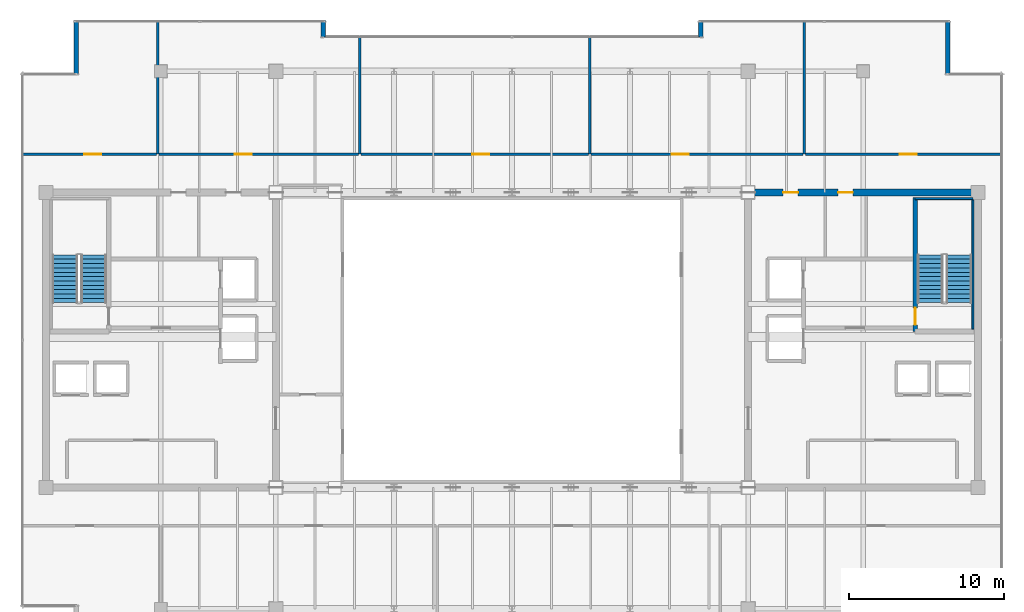
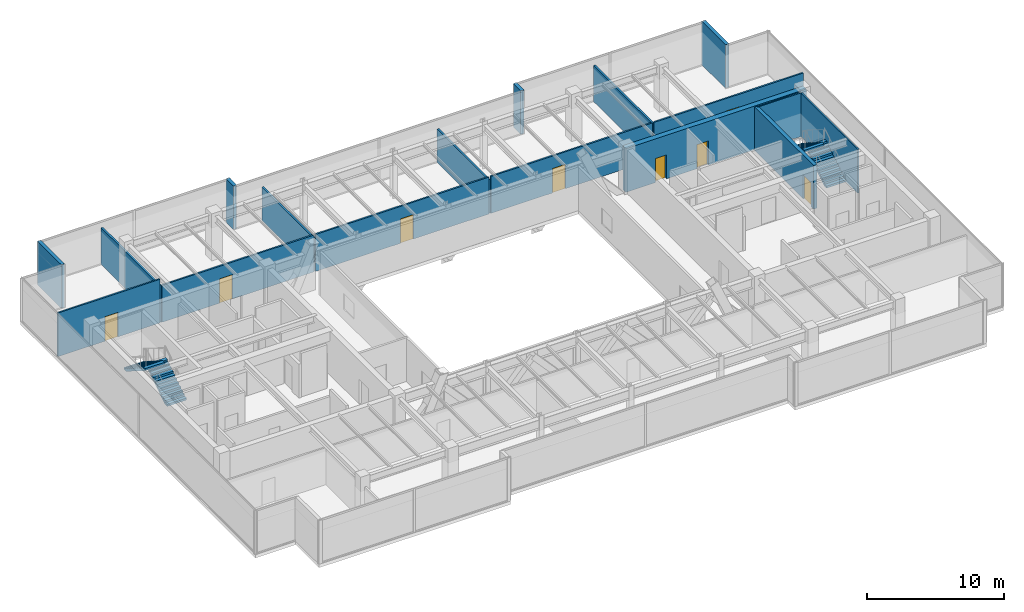
# One storey, part 28 of 32: 17 walls, 8 doors, 4 stair flights, 8 openings, 2 elements without a shape of their own.
"""IFC4 building model written with IfcOpenShell, lengths in metres."""

from ifc_helpers import new_model, si_unit, direction, frame, frame_2d, origin, place, context, subcontext, project, spatial, polyline, rectangle, outline, extrude, source, transform, mapped, material, layer, layer_set, type_object, type_shapes, element, fill, aggregate, save


model = new_model("IFC4")

# Units and contexts
model_context = context("Model", 3, precision=1e-05, world=origin(), true_north=direction((0.0, 1.0)))
body_context = subcontext(model_context, "Body", "Model", "MODEL_VIEW")
ifc_project = project(units=[si_unit("LENGTHUNIT", "METRE"), si_unit("AREAUNIT", "SQUARE_METRE"), si_unit("VOLUMEUNIT", "CUBIC_METRE"), si_unit("PLANEANGLEUNIT", "RADIAN"), si_unit("MASSUNIT", "GRAM", prefix="KILO")], contexts=[model_context])

# Site, building, storey
site_placement = place(None, origin())
site = spatial("IfcSite", under=ifc_project, at=site_placement, CompositionType="ELEMENT")
building_placement = place(site_placement, origin())
building = spatial("IfcBuilding", under=site, at=building_placement, Name="Haelvirn Gate Laboratories", CompositionType="ELEMENT")
storey_placement = place(building_placement, frame((0.0, 0.0, 301.800048828125)))
storey = spatial("IfcBuildingStorey", under=building, at=storey_placement, Name="L72", CompositionType="ELEMENT", Elevation=301.800048828125)

# Walls
ifc_material_1 = material(Name="Thermally-broken bronze aluminium rainscreen & mineral wool", Category="aluminium")
ifc_layer_1 = layer(ifc_material_1, 0.280029296875, Name="EW-TERR-280")
ifc_layer_set_1 = layer_set([ifc_layer_1], Name="Thermally-broken bronze aluminium rainscreen & mineral wool")
wall_type_1 = type_object("IfcWallType", Name="EW-TERR-280", PredefinedType="STANDARD", material=ifc_layer_set_1)
wall_1_placement = place(storey_placement, frame((65.4599609375, 41.412109375, 0.0), z_axis=(0.0, 0.0, 1.0), x_axis=(0.0, 1.0, 0.0)))
element("IfcWall", 1, at=wall_1_placement, inside=storey, type_object=wall_type_1, Name="L72 Atrium Recess Bronze Return Wall 09", PredefinedType="STANDARD", context=body_context, shape_type="SweptSolid", body=[
    extrude(rectangle(XDim=3.48779296875, YDim=0.280029296875, at=frame_2d((1.743896484375, 0.0))), origin(), (0.0, 0.0, 1.0), 3.89990234375),
])
for number, where, z_axis, x_axis, name in (
    (2, (49.5400390625, 44.89990234375, 0.0), (0.0, 0.0, 1.0), (0.0, -1.0, 0.0), "L72 Atrium Recess Bronze Return Wall 11"),
    (3, (25.260009765625, 43.806884765625, 0.0), (0.0, 0.0, 1.0), (0.0, 1.0, 0.0), "L72 Atrium Recess Bronze Return Wall 13"),
):
    element("IfcWall", number, at=place(storey_placement, frame(where, z_axis=z_axis, x_axis=x_axis)), inside=storey, type_object=wall_type_1, Name=name, PredefinedType="STANDARD", context=body_context, shape_type="SweptSolid", body=[
        extrude(rectangle(XDim=1.093017578125, YDim=0.280029296875, at=frame_2d((0.54638671875, 0.0))), origin(), (0.0, 0.0, 1.0), 3.89990234375),
    ])
wall_2_placement = place(storey_placement, frame((9.340087890625, 44.89990234375, 0.0), z_axis=(0.0, 0.0, 1.0), x_axis=(0.0, -1.0, 0.0)))
element("IfcWall", 4, at=wall_2_placement, inside=storey, type_object=wall_type_1, Name="L72 Atrium Recess Bronze Return Wall 15", PredefinedType="STANDARD", context=body_context, shape_type="SweptSolid", body=[
    extrude(rectangle(XDim=3.48779296875, YDim=0.280029296875, at=frame_2d((1.743896484375, 0.0))), origin(), (0.0, 0.0, 1.0), 3.89990234375),
])
ifc_material_2 = material(Name="Double-layer acoustic gypsum laboratory partition", Category="gypsum")
ifc_layer_2 = layer(ifc_material_2, 0.159912109375, Name="IW-ACOUST-160")
ifc_layer_set_2 = layer_set([ifc_layer_2], Name="Double-layer acoustic gypsum laboratory partition")
wall_type_2 = type_object("IfcWallType", Name="IW-ACOUST-160", PredefinedType="PARTITIONING", material=ifc_layer_set_2)
wall_3_placement = place(storey_placement, frame((14.60009765625, 36.260009765625, 0.0), z_axis=(0.0, 0.0, 1.0), x_axis=(0.0, 1.0, 0.0)))
element("IfcWall", 5, at=wall_3_placement, inside=storey, type_object=wall_type_2, Name="L72 Interior Wall IW-L72-NDIV-01", PredefinedType="PARTITIONING", context=body_context, shape_type="SweptSolid", body=[
    extrude(rectangle(XDim=8.530029296875, YDim=0.159912109375, at=frame_2d((4.26513671875, 0.0))), origin(), (0.0, 0.0, 1.0), 3.296875),
])
for number, where, z_axis, x_axis, name in (
    (6, (27.60009765625, 36.260009765625, 0.0), (0.0, 0.0, 1.0), (0.0, 1.0, 0.0), "L72 Interior Wall IW-L72-NDIV-02"),
    (7, (42.39990234375, 36.260009765625, 0.0), (0.0, 0.0, 1.0), (0.0, 1.0, 0.0), "L72 Interior Wall IW-L72-NDIV-03"),
):
    element("IfcWall", number, at=place(storey_placement, frame(where, z_axis=z_axis, x_axis=x_axis)), inside=storey, type_object=wall_type_2, Name=name, PredefinedType="PARTITIONING", context=body_context, shape_type="SweptSolid", body=[
        extrude(rectangle(XDim=7.530029296875, YDim=0.159912109375, at=frame_2d((3.76513671875, 0.0))), origin(), (0.0, 0.0, 1.0), 2.98486328125),
    ])
wall_4_placement = place(storey_placement, frame((56.199951171875, 36.260009765625, 0.0), z_axis=(0.0, 0.0, 1.0), x_axis=(0.0, 1.0, 0.0)))
element("IfcWall", 8, at=wall_4_placement, inside=storey, type_object=wall_type_2, Name="L72 Interior Wall IW-L72-NDIV-04", PredefinedType="PARTITIONING", context=body_context, shape_type="SweptSolid", body=[
    extrude(rectangle(XDim=8.530029296875, YDim=0.159912109375, at=frame_2d((4.26513671875, 0.0))), origin(), (0.0, 0.0, 1.0), 3.23486328125),
])

# Wall, opening, door
ifc_material_3 = material(Name="Acoustic mineral-wool gypsum board partition", Category="gypsum")
ifc_layer_3 = layer(ifc_material_3, 0.139892578125, Name="IW-PART-140")
ifc_layer_set_3 = layer_set([ifc_layer_3], Name="Acoustic mineral-wool gypsum board partition")
wall_type_3 = type_object("IfcWallType", Name="IW-PART-140", PredefinedType="PARTITIONING", material=ifc_layer_set_3)
wall_5_placement = place(storey_placement, frame((5.909912109375, 36.260009765625, 0.0), z_axis=(0.0, 0.0, 1.0), x_axis=(1.0, 0.0, 0.0)))
wall_5 = element("IfcWall", 9, at=wall_5_placement, inside=storey, type_object=wall_type_3, Name="L72 Interior Wall IW-L72-NCORR-01", PredefinedType="PARTITIONING", context=body_context, shape_type="SweptSolid", body=[
    extrude(rectangle(XDim=8.610107421875, YDim=0.139892578125, at=frame_2d((4.30517578125, 0.0))), origin(), (0.0, 0.0, 1.0), 3.89990234375),
])
opening_1_placement = place(wall_5_placement, frame((3.959228515625, 0.0, 0.0)))
opening_1 = element("IfcOpeningElement", 10, at=opening_1_placement, cuts=wall_5, Name="Opening D1", PredefinedType="OPENING", context=body_context, shape_type="SweptSolid", body=[
    extrude(rectangle(XDim=1.10009765625, YDim=2.179931640625, at=frame_2d((0.550048828125, 1.08984375))), frame((0.0, 0.080078125, 0.0), z_axis=(0.0, -1.0, 0.0), x_axis=(1.0, 0.0, 0.0)), (0.0, 0.0, 1.0), 0.159912109375),
])
ifc_material_4 = material(Name="Vision-panel acoustic solid-core timber lab door", Category="wood")
door_type_1 = type_object("IfcDoorType", Name="DR-LAB-1100", OperationType="NOTDEFINED", PredefinedType="DOOR", material=ifc_material_4)
shared_shape_1 = source(origin(), body_context, "Body", "SweptSolid", [
    extrude(rectangle(XDim=1.10009765625, YDim=2.179931640625, at=frame_2d((0.550048828125, 1.08984375))), frame((0.0, 0.02490234375, 0.0), z_axis=(0.0, -1.0, 0.0), x_axis=(1.0, 0.0, 0.0)), (0.0, 0.0, 1.0), 0.050048828125),
])
type_shapes(door_type_1, [shared_shape_1])
door_1_placement = place(opening_1_placement, origin())
door_1 = element("IfcDoor", 11, at=door_1_placement, inside=storey, type_object=door_type_1, Name="L72 Colloquium Conference Room Door N1", OperationType="SINGLE_SWING_RIGHT", OverallHeight=2.179931640625, OverallWidth=1.10009765625, PredefinedType="DOOR", context=body_context, shape_type="MappedRepresentation", body=[
    mapped(shared_shape_1, transform((0.0, 0.0, 0.0), scale=1.0)),
])
fill(opening_1, door_1)

wall_6_placement = place(storey_placement, frame((14.679931640625, 36.260009765625, 0.0), z_axis=(0.0, 0.0, 1.0), x_axis=(1.0, 0.0, 0.0)))
wall_6 = element("IfcWall", 12, at=wall_6_placement, inside=storey, type_object=wall_type_3, Name="L72 Interior Wall IW-L72-NCORR-02", PredefinedType="PARTITIONING", context=body_context, shape_type="SweptSolid", body=[
    extrude(rectangle(XDim=12.840087890625, YDim=0.139892578125, at=frame_2d((6.419921875, 0.0))), origin(), (0.0, 0.0, 1.0), 3.296875),
])
opening_2_placement = place(wall_6_placement, frame((4.87646484375, 0.0, 0.0)))
opening_2 = element("IfcOpeningElement", 13, at=opening_2_placement, cuts=wall_6, Name="Opening D1", PredefinedType="OPENING", context=body_context, shape_type="SweptSolid", body=[
    extrude(rectangle(XDim=1.10009765625, YDim=2.179931640625, at=frame_2d((0.550048828125, 1.08984375))), frame((0.0, 0.080078125, 0.0), z_axis=(0.0, -1.0, 0.0), x_axis=(1.0, 0.0, 0.0)), (0.0, 0.0, 1.0), 0.159912109375),
])
door_2_placement = place(opening_2_placement, origin())
door_2 = element("IfcDoor", 14, at=door_2_placement, inside=storey, type_object=door_type_1, Name="L72 Protocol Briefing Training Room Door N2", OperationType="SINGLE_SWING_LEFT", OverallHeight=2.179931640625, OverallWidth=1.10009765625, PredefinedType="DOOR", context=body_context, shape_type="MappedRepresentation", body=[
    mapped(shared_shape_1, transform((0.0, 0.0, 0.0), scale=1.0)),
])
fill(opening_2, door_2)

wall_7_placement = place(storey_placement, frame((27.679931640625, 36.260009765625, 0.0), z_axis=(0.0, 0.0, 1.0), x_axis=(1.0, 0.0, 0.0)))
wall_7 = element("IfcWall", 15, at=wall_7_placement, inside=storey, type_object=wall_type_3, Name="L72 Interior Wall IW-L72-NCORR-03", PredefinedType="PARTITIONING", context=body_context, shape_type="SweptSolid", body=[
    extrude(rectangle(XDim=14.64013671875, YDim=0.139892578125, at=frame_2d((7.320068359375, 0.0))), origin(), (0.0, 0.0, 1.0), 3.296875),
])
opening_3_placement = place(wall_7_placement, frame((7.1552734375, 0.0, 0.0)))
opening_3 = element("IfcOpeningElement", 16, at=opening_3_placement, cuts=wall_7, Name="Opening D1", PredefinedType="OPENING", context=body_context, shape_type="SweptSolid", body=[
    extrude(rectangle(XDim=1.10009765625, YDim=2.179931640625, at=frame_2d((0.550048828125, 1.08984375))), frame((0.0, 0.080078125, 0.0), z_axis=(0.0, -1.0, 0.0), x_axis=(1.0, 0.0, 0.0)), (0.0, 0.0, 1.0), 0.159912109375),
])
door_3_placement = place(opening_3_placement, origin())
door_3 = element("IfcDoor", 17, at=door_3_placement, inside=storey, type_object=door_type_1, Name="L72 Scientific Reference Library Door N3", OperationType="SINGLE_SWING_RIGHT", OverallHeight=2.179931640625, OverallWidth=1.10009765625, PredefinedType="DOOR", context=body_context, shape_type="MappedRepresentation", body=[
    mapped(shared_shape_1, transform((0.0, 0.0, 0.0), scale=1.0)),
])
fill(opening_3, door_3)

wall_8_placement = place(storey_placement, frame((42.47998046875, 36.260009765625, 0.0), z_axis=(0.0, 0.0, 1.0), x_axis=(1.0, 0.0, 0.0)))
wall_8 = element("IfcWall", 18, at=wall_8_placement, inside=storey, type_object=wall_type_3, Name="L72 Interior Wall IW-L72-NCORR-04", PredefinedType="PARTITIONING", context=body_context, shape_type="SweptSolid", body=[
    extrude(rectangle(XDim=13.64013671875, YDim=0.139892578125, at=frame_2d((6.820068359375, 0.0))), origin(), (0.0, 0.0, 1.0), 3.296875),
])
opening_4_placement = place(wall_8_placement, frame((5.204345703125, 0.0, 0.0)))
opening_4 = element("IfcOpeningElement", 19, at=opening_4_placement, cuts=wall_8, Name="Opening D1", PredefinedType="OPENING", context=body_context, shape_type="SweptSolid", body=[
    extrude(rectangle(XDim=1.10009765625, YDim=2.179931640625, at=frame_2d((0.550048828125, 1.08984375))), frame((0.0, 0.080078125, 0.0), z_axis=(0.0, -1.0, 0.0), x_axis=(1.0, 0.0, 0.0)), (0.0, 0.0, 1.0), 0.159912109375),
])
door_4_placement = place(opening_4_placement, origin())
door_4 = element("IfcDoor", 20, at=door_4_placement, inside=storey, type_object=door_type_1, Name="L72 Instrumentation Prototyping Workshop Door N4", OperationType="SINGLE_SWING_LEFT", OverallHeight=2.179931640625, OverallWidth=1.10009765625, PredefinedType="DOOR", context=body_context, shape_type="MappedRepresentation", body=[
    mapped(shared_shape_1, transform((0.0, 0.0, 0.0), scale=1.0)),
])
fill(opening_4, door_4)

wall_9_placement = place(storey_placement, frame((56.280029296875, 36.260009765625, 0.0), z_axis=(0.0, 0.0, 1.0), x_axis=(1.0, 0.0, 0.0)))
wall_9 = element("IfcWall", 21, at=wall_9_placement, inside=storey, type_object=wall_type_3, Name="L72 Interior Wall IW-L72-NCORR-05", PredefinedType="PARTITIONING", context=body_context, shape_type="SweptSolid", body=[
    extrude(rectangle(XDim=12.60986328125, YDim=0.139892578125, at=frame_2d((6.304931640625, 0.0))), origin(), (0.0, 0.0, 1.0), 3.296875),
])
opening_5_placement = place(wall_9_placement, frame((6.079345703125, 0.0, 0.0)))
opening_5 = element("IfcOpeningElement", 22, at=opening_5_placement, cuts=wall_9, Name="Opening D1", PredefinedType="OPENING", context=body_context, shape_type="SweptSolid", body=[
    extrude(rectangle(XDim=1.10009765625, YDim=2.179931640625, at=frame_2d((0.550048828125, 1.08984375))), frame((0.0, 0.080078125, 0.0), z_axis=(0.0, -1.0, 0.0), x_axis=(1.0, 0.0, 0.0)), (0.0, 0.0, 1.0), 0.159912109375),
])
door_5_placement = place(opening_5_placement, origin())
door_5 = element("IfcDoor", 23, at=door_5_placement, inside=storey, type_object=door_type_1, Name="L72 Researcher Break Pantry Door N5", OperationType="SINGLE_SWING_RIGHT", OverallHeight=2.179931640625, OverallWidth=1.10009765625, PredefinedType="DOOR", context=body_context, shape_type="MappedRepresentation", body=[
    mapped(shared_shape_1, transform((0.0, 0.0, 0.0), scale=1.0)),
])
fill(opening_5, door_5)

# Wall, openings, doors
ifc_material_5 = material(Name="Concrete C50/60", Category="concrete")
ifc_layer_4 = layer(ifc_material_5, 0.449951171875, Name="SW-CORE-450")
ifc_layer_set_4 = layer_set([ifc_layer_4], Name="Concrete C50/60")
wall_type_4 = type_object("IfcWallType", Name="SW-CORE-450", PredefinedType="SHEAR", material=ifc_layer_set_4)
wall_10_placement = place(storey_placement, frame((52.375, 33.800048828125, 0.0), z_axis=(0.0, 0.0, 1.0), x_axis=(1.0, 0.0, 0.0)))
wall_10 = element("IfcWall", 24, at=wall_10_placement, inside=storey, type_object=wall_type_4, Name="L72 E Core Shear Wall N", PredefinedType="SHEAR", context=body_context, shape_type="SweptSolid", body=[
    extrude(rectangle(XDim=15.25, YDim=0.449951171875, at=frame_2d((7.625, 0.0))), origin(), (0.0, 0.0, 1.0), 3.89990234375),
])
opening_6_placement = place(wall_10_placement, frame((6.02490234375, 0.0, 0.0)))
opening_6 = element("IfcOpeningElement", 25, at=opening_6_placement, cuts=wall_10, Name="Opening FD4", PredefinedType="OPENING", context=body_context, shape_type="SweptSolid", body=[
    extrude(rectangle(XDim=0.949951171875, YDim=2.14990234375, at=frame_2d((0.47509765625, 1.074951171875))), frame((0.0, 0.23486328125, 0.0), z_axis=(0.0, -1.0, 0.0), x_axis=(1.0, 0.0, 0.0)), (0.0, 0.0, 1.0), 0.469970703125),
])
opening_7_placement = place(wall_10_placement, frame((2.485107421875, 0.0, 0.0)))
opening_7 = element("IfcOpeningElement", 26, at=opening_7_placement, cuts=wall_10, Name="Opening FD4", PredefinedType="OPENING", context=body_context, shape_type="SweptSolid", body=[
    extrude(rectangle(XDim=0.949951171875, YDim=2.14990234375, at=frame_2d((0.47509765625, 1.074951171875))), frame((0.0, 0.23486328125, 0.0), z_axis=(0.0, -1.0, 0.0), x_axis=(1.0, 0.0, 0.0)), (0.0, 0.0, 1.0), 0.469970703125),
])
ifc_material_6 = material(Name="Fire-rated steel SM355 core service door", Category="steel")
door_type_2 = type_object("IfcDoorType", Name="DR-FD-950", OperationType="NOTDEFINED", PredefinedType="DOOR", material=ifc_material_6)
shared_shape_2 = source(origin(), body_context, "Body", "SweptSolid", [
    extrude(rectangle(XDim=0.949951171875, YDim=2.14990234375, at=frame_2d((0.47509765625, 1.074951171875))), frame((0.0, 0.02490234375, 0.0), z_axis=(0.0, -1.0, 0.0), x_axis=(1.0, 0.0, 0.0)), (0.0, 0.0, 1.0), 0.050048828125),
])
type_shapes(door_type_2, [shared_shape_2])
door_6_placement = place(opening_6_placement, origin())
door_6 = element("IfcDoor", 27, at=door_6_placement, inside=storey, type_object=door_type_2, Name="L72 Accessible Restroom Fire Door", OperationType="SINGLE_SWING_LEFT", OverallHeight=2.14990234375, OverallWidth=0.949951171875, PredefinedType="DOOR", context=body_context, shape_type="MappedRepresentation", body=[
    mapped(shared_shape_2, transform((0.0, 0.0, 0.0), scale=1.0)),
])
fill(opening_6, door_6)
door_7_placement = place(opening_7_placement, origin())
door_7 = element("IfcDoor", 28, at=door_7_placement, inside=storey, type_object=door_type_2, Name="L72 Staff Restroom Fire Door", OperationType="SINGLE_SWING_RIGHT", OverallHeight=2.14990234375, OverallWidth=0.949951171875, PredefinedType="DOOR", context=body_context, shape_type="MappedRepresentation", body=[
    mapped(shared_shape_2, transform((0.0, 0.0, 0.0), scale=1.0)),
])
fill(opening_7, door_7)

# Walls
ifc_layer_5 = layer(ifc_material_5, 0.1201171875, Name="SW-LINER-120")
ifc_layer_set_5 = layer_set([ifc_layer_5], Name="Concrete C50/60")
wall_type_5 = type_object("IfcWallType", Name="SW-LINER-120", PredefinedType="SOLIDWALL", material=ifc_layer_set_5)
wall_11_placement = place(storey_placement, frame((63.35009765625, 33.39990234375, 0.0), z_axis=(0.0, 0.0, 1.0), x_axis=(1.0, 0.0, 0.0)))
element("IfcWall", 29, at=wall_11_placement, inside=storey, type_object=wall_type_5, Name="L72 E Core Stair Shaft Liner Wall N", PredefinedType="SOLIDWALL", context=body_context, shape_type="SweptSolid", body=[
    extrude(rectangle(XDim=3.719970703125, YDim=0.1201171875, at=frame_2d((1.85986328125, 0.0))), origin(), (0.0, 0.0, 1.0), 3.89990234375),
])
wall_12_placement = place(storey_placement, frame((67.070068359375, 25.0, 0.0), z_axis=(0.0, 0.0, 1.0), x_axis=(0.0, 1.0, 0.0)))
element("IfcWall", 30, at=wall_12_placement, inside=storey, type_object=wall_type_5, Name="L72 E Core Stair Shaft Liner Wall OUT", PredefinedType="SOLIDWALL", context=body_context, shape_type="SweptSolid", body=[
    extrude(rectangle(XDim=8.320068359375, YDim=0.1201171875, at=frame_2d((4.16015625, 0.0))), origin(), (0.0, 0.0, 1.0), 3.89990234375),
])

# Wall, opening, door
ifc_layer_6 = layer(ifc_material_5, 0.300048828125, Name="SW-STAIR-300")
ifc_layer_set_6 = layer_set([ifc_layer_6], Name="Concrete C50/60")
wall_type_6 = type_object("IfcWallType", Name="SW-STAIR-300", PredefinedType="SHEAR", material=ifc_layer_set_6)
wall_13_placement = place(storey_placement, frame((63.35009765625, 24.85009765625, 0.0), z_axis=(0.0, 0.0, 1.0), x_axis=(0.0, 1.0, 0.0)))
wall_13 = element("IfcWall", 31, at=wall_13_placement, inside=storey, type_object=wall_type_6, Name="L72 E Core Stair Shaft Structural Wall IN", PredefinedType="SHEAR", context=body_context, shape_type="SweptSolid", body=[
    extrude(rectangle(XDim=8.6298828125, YDim=0.300048828125, at=frame_2d((4.31494140625, 0.0))), origin(), (0.0, 0.0, 1.0), 3.89990234375),
])
opening_8_placement = place(wall_13_placement, frame((0.419921875, 0.0, 0.0)))
opening_8 = element("IfcOpeningElement", 32, at=opening_8_placement, cuts=wall_13, Name="Opening FD3", PredefinedType="OPENING", context=body_context, shape_type="SweptSolid", body=[
    extrude(rectangle(XDim=1.10009765625, YDim=2.14990234375, at=frame_2d((0.550048828125, 1.074951171875))), frame((0.0, 0.16015625, 0.0), z_axis=(0.0, -1.0, 0.0), x_axis=(1.0, 0.0, 0.0)), (0.0, 0.0, 1.0), 0.320068359375),
])
ifc_material_7 = material(Name="Fire-rated steel SM355 escape stair door", Category="steel")
door_type_3 = type_object("IfcDoorType", Name="DR-FD-1100", OperationType="NOTDEFINED", PredefinedType="DOOR", material=ifc_material_7)
shared_shape_3 = source(origin(), body_context, "Body", "SweptSolid", [
    extrude(rectangle(XDim=1.10009765625, YDim=2.14990234375, at=frame_2d((0.550048828125, 1.074951171875))), frame((0.0, 0.02490234375, 0.0), z_axis=(0.0, -1.0, 0.0), x_axis=(1.0, 0.0, 0.0)), (0.0, 0.0, 1.0), 0.050048828125),
])
type_shapes(door_type_3, [shared_shape_3])
door_8_placement = place(opening_8_placement, origin())
door_8 = element("IfcDoor", 33, at=door_8_placement, inside=storey, type_object=door_type_3, Name="L72 Escape Stair ST2 Fire Door", OperationType="SINGLE_SWING_RIGHT", OverallHeight=2.14990234375, OverallWidth=1.10009765625, PredefinedType="DOOR", context=body_context, shape_type="MappedRepresentation", body=[
    mapped(shared_shape_3, transform((0.0, 0.0, 0.0), scale=1.0)),
])
fill(opening_8, door_8)

# Stair, stair flights
ifc_material_8 = material(Name="Concrete C40/50", Category="concrete")
stair_type = type_object("IfcStairType", Name="ST-DOG-1650-R24", PredefinedType="HALF_TURN_STAIR", material=ifc_material_8)
stair_1_placement = place(storey_placement, origin())
stair_1 = element("IfcStair", 34, at=stair_1_placement, inside=storey, type_object=stair_type, Name="L72 Escape Stair ST1", PredefinedType="HALF_TURN_STAIR")
stair_flight_type = type_object("IfcStairFlightType", Name="STF-1650-R12", PredefinedType="STRAIGHT", material=ifc_material_8)
shared_shape_4 = source(origin(), body_context, "Body", "SweptSolid", [
    extrude(outline(polyline([(0.0, 0.0), (0.0, 0.175048828125), (0.280029296875, 0.175048828125), (0.280029296875, 0.35009765625), (0.56005859375, 0.35009765625), (0.56005859375, 0.52490234375), (0.840087890625, 0.52490234375), (0.840087890625, 0.699951171875), (1.1201171875, 0.699951171875), (1.1201171875, 0.875), (1.39990234375, 0.875), (1.39990234375, 1.050048828125), (1.679931640625, 1.050048828125), (1.679931640625, 1.22509765625), (1.9599609375, 1.22509765625), (1.9599609375, 1.39990234375), (2.239990234375, 1.39990234375), (2.239990234375, 1.574951171875), (2.52001953125, 1.574951171875), (2.52001953125, 1.75), (2.800048828125, 1.75), (2.800048828125, 1.925048828125), (3.080078125, 1.925048828125), (3.080078125, 2.10009765625), (3.080078125, 1.736328125), (0.3017578125, 0.0), (0.0, 0.0)])), frame((0.0, 0.824951171875, 0.0), z_axis=(0.0, -1.0, 0.0), x_axis=(1.0, 0.0, 0.0)), (0.0, 0.0, 1.0), 1.64990234375),
])
type_shapes(stair_flight_type, [shared_shape_4])
stair_flight_1_placement = place(storey_placement, frame((10.47509765625, 26.699951171875, 0.0), z_axis=(0.0, 0.0, 1.0), x_axis=(0.0, 1.0, 0.0)))
stair_flight_1 = element("IfcStairFlight", 35, at=stair_flight_1_placement, type_object=stair_flight_type, Name="ST1 flight 1", NumberOfRisers=12, NumberOfTreads=11, PredefinedType="STRAIGHT", RiserHeight=0.175, TreadLength=0.28, context=body_context, shape_type="MappedRepresentation", body=[
    mapped(shared_shape_4, transform((0.0, 0.0, 0.0), scale=1.0)),
])
stair_flight_2_placement = place(storey_placement, frame((8.625, 29.780029296875, 2.099853515625), z_axis=(0.0, 0.0, 1.0), x_axis=(0.0, -1.0, 0.0)))
stair_flight_2 = element("IfcStairFlight", 36, at=stair_flight_2_placement, type_object=stair_flight_type, Name="ST1 flight 2", NumberOfRisers=12, NumberOfTreads=11, PredefinedType="STRAIGHT", RiserHeight=0.175, TreadLength=0.28, context=body_context, shape_type="MappedRepresentation", body=[
    mapped(shared_shape_4, transform((0.0, 0.0, 0.0), scale=1.0)),
])
aggregate(stair_1, [stair_flight_1, stair_flight_2])

stair_2_placement = place(storey_placement, origin())
stair_2 = element("IfcStair", 37, at=stair_2_placement, inside=storey, type_object=stair_type, Name="L72 Escape Stair ST2", PredefinedType="HALF_TURN_STAIR")
stair_flight_3_placement = place(storey_placement, frame((66.175048828125, 26.699951171875, 0.0), z_axis=(0.0, 0.0, 1.0), x_axis=(0.0, 1.0, 0.0)))
stair_flight_3 = element("IfcStairFlight", 38, at=stair_flight_3_placement, type_object=stair_flight_type, Name="ST2 flight 1", NumberOfRisers=12, NumberOfTreads=11, PredefinedType="STRAIGHT", RiserHeight=0.175, TreadLength=0.28, context=body_context, shape_type="MappedRepresentation", body=[
    mapped(shared_shape_4, transform((0.0, 0.0, 0.0), scale=1.0)),
])
stair_flight_4_placement = place(storey_placement, frame((64.324951171875, 29.780029296875, 2.099853515625), z_axis=(0.0, 0.0, 1.0), x_axis=(0.0, -1.0, 0.0)))
stair_flight_4 = element("IfcStairFlight", 39, at=stair_flight_4_placement, type_object=stair_flight_type, Name="ST2 flight 2", NumberOfRisers=12, NumberOfTreads=11, PredefinedType="STRAIGHT", RiserHeight=0.175, TreadLength=0.28, context=body_context, shape_type="MappedRepresentation", body=[
    mapped(shared_shape_4, transform((0.0, 0.0, 0.0), scale=1.0)),
])
aggregate(stair_2, [stair_flight_3, stair_flight_4])

save(model, "model.ifc")
